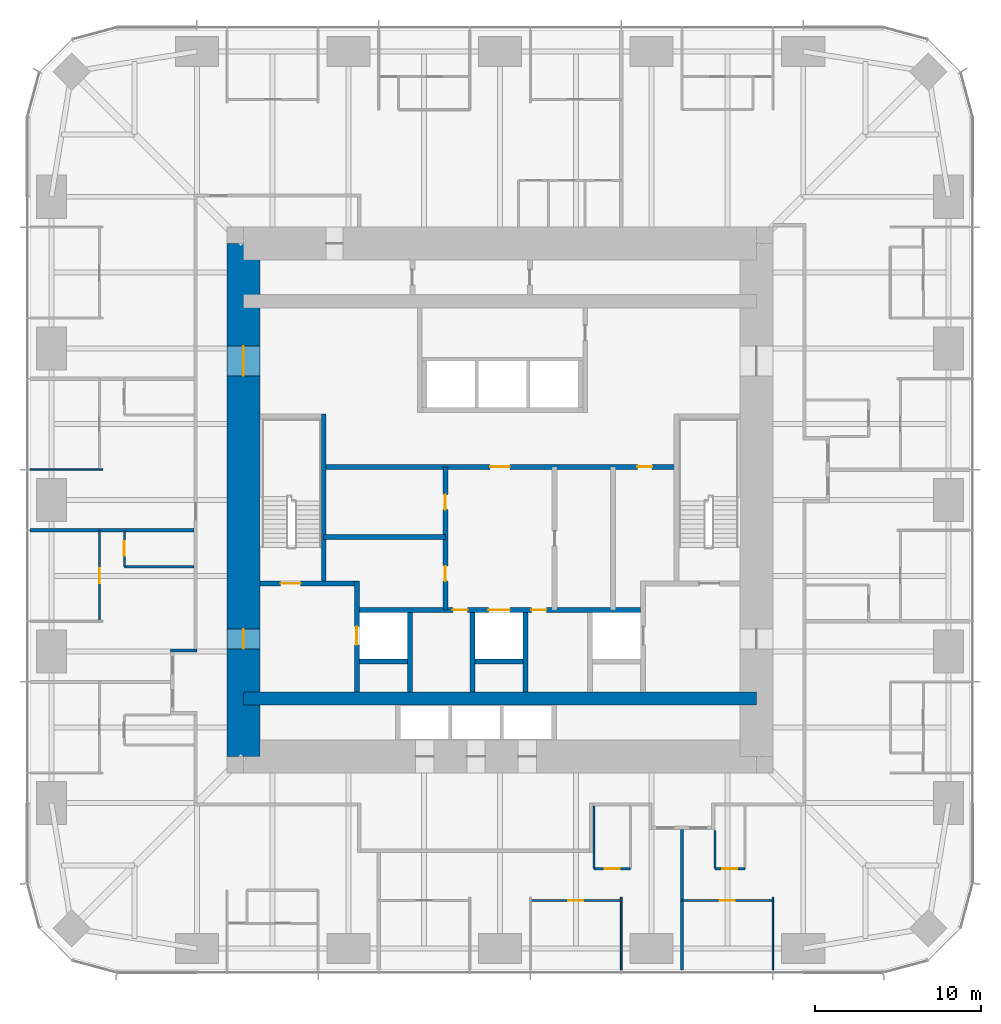
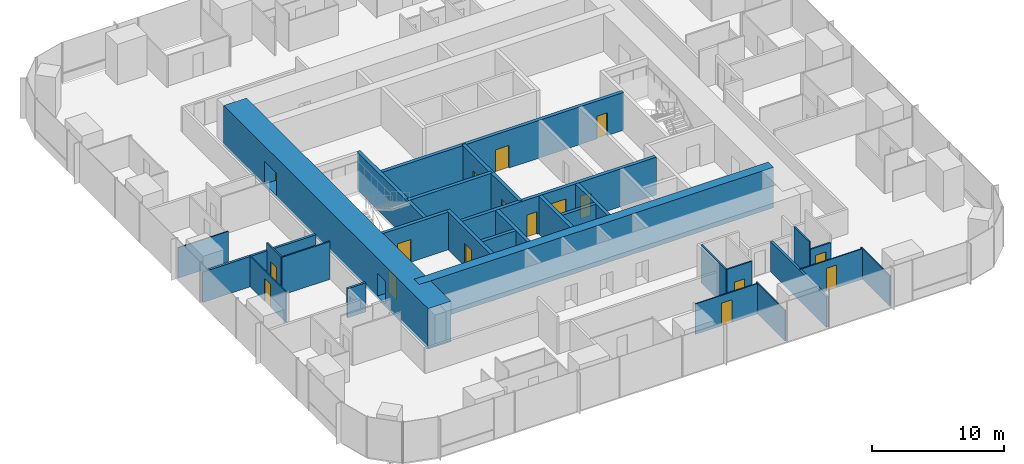
# One storey, part 9 of 13: 29 walls, 17 doors, 17 openings.
"""IFC4 building model written with IfcOpenShell, lengths in metres."""

from ifc_helpers import new_model, si_unit, direction, frame, frame_2d, origin, place, context, subcontext, project, spatial, rectangle, extrude, material, layer, layer_set, type_object, element, fill, save


model = new_model("IFC4")

# Units and contexts
model_context = context("Model", 3, precision=1e-05, world=origin(), true_north=direction((0.0, 1.0)))
body_context = subcontext(model_context, "Body", "Model", "MODEL_VIEW")
ifc_project = project(units=[si_unit("LENGTHUNIT", "METRE"), si_unit("AREAUNIT", "SQUARE_METRE"), si_unit("VOLUMEUNIT", "CUBIC_METRE"), si_unit("PLANEANGLEUNIT", "RADIAN"), si_unit("MASSUNIT", "GRAM", prefix="KILO")], contexts=[model_context])

# Site, building, storey
site_placement = place(None, origin())
site = spatial("IfcSite", under=ifc_project, at=site_placement, CompositionType="ELEMENT")
building_placement = place(site_placement, origin())
building = spatial("IfcBuilding", under=site, at=building_placement, Name="Khuree Lantern Residences", CompositionType="ELEMENT")
storey_placement = place(building_placement, frame((0.0, 0.0, 156.0)))
storey = spatial("IfcBuildingStorey", under=building, at=storey_placement, Name="L39", CompositionType="ELEMENT", Elevation=156.0)

# Wall, opening, door
ifc_material_1 = material(Name="Moisture-resistant gypsum board on steel studs", Category="steel")
ifc_layer_1 = layer(ifc_material_1, 0.125)
ifc_layer_set_1 = layer_set([ifc_layer_1], Name="BATHROOM WALL BTW125")
wall_type_1 = type_object("IfcWallType", Name="BATHROOM WALL BTW125", PredefinedType="PARTITIONING", material=ifc_layer_set_1)
wall_1_placement = place(storey_placement, frame((-22.699951171875, -1.83203125, 0.0), z_axis=(0.0, 0.0, 1.0), x_axis=(0.0, -1.0, 0.0)))
wall_1 = element("IfcWall", 1, at=wall_1_placement, inside=storey, type_object=wall_type_1, Name="L39 BATHROOM WALL 05", PredefinedType="PARTITIONING", context=body_context, shape_type="SweptSolid", body=[
    extrude(rectangle(XDim=2.199951171875, YDim=0.125, at=frame_2d((1.10009765625, 0.0))), origin(), (0.0, 0.0, 1.0), 3.5),
])
opening_1_placement = place(wall_1_placement, frame((0.64990234375, 0.0, 0.0)))
opening_1 = element("IfcOpeningElement", 2, at=opening_1_placement, cuts=wall_1, Name="Opening 39-047", PredefinedType="OPENING", context=body_context, shape_type="SweptSolid", body=[
    extrude(rectangle(XDim=0.89990234375, YDim=2.10009765625, at=frame_2d((0.449951171875, 1.050048828125))), frame((0.0, 0.072509765625, 0.0), z_axis=(0.0, -1.0, 0.0), x_axis=(1.0, 0.0, 0.0)), (0.0, 0.0, 1.0), 0.14501953125),
])
ifc_material_2 = material(Name="Timber door leaf in hardwood frame", Category="wood")
door_type_1 = type_object("IfcDoorType", Name="BATHROOM DOOR 900X2100", OperationType="SINGLE_SWING_LEFT", PredefinedType="DOOR", material=ifc_material_2)
door_1_placement = place(opening_1_placement, origin())
door_1 = element("IfcDoor", 3, at=door_1_placement, inside=storey, type_object=door_type_1, Name="Bathroom door 39-047", OperationType="SINGLE_SWING_LEFT", OverallHeight=2.10009765625, OverallWidth=0.89990234375, PredefinedType="DOOR", context=body_context, shape_type="SweptSolid", body=[
    extrude(rectangle(XDim=0.89990234375, YDim=2.10009765625, at=frame_2d((0.449951171875, 1.050048828125))), frame((0.0, 0.02490234375, 0.0), z_axis=(0.0, -1.0, 0.0), x_axis=(1.0, 0.0, 0.0)), (0.0, 0.0, 1.0), 0.050048828125),
])
fill(opening_1, door_1)

# Wall
wall_2_placement = place(storey_placement, frame((-18.5, -4.031982421875, 0.0), z_axis=(0.0, 0.0, 1.0), x_axis=(-1.0, 0.0, 0.0)))
element("IfcWall", 4, at=wall_2_placement, inside=storey, type_object=wall_type_1, Name="L39 BATHROOM WALL 05", PredefinedType="PARTITIONING", context=body_context, shape_type="SweptSolid", body=[
    extrude(rectangle(XDim=4.199951171875, YDim=0.125, at=frame_2d((2.10009765625, 0.0))), origin(), (0.0, 0.0, 1.0), 3.5),
])

# Wall, opening, door
wall_3_placement = place(storey_placement, frame((5.68359375, -22.27978515625, 0.0), z_axis=(0.0, 0.0, 1.0), x_axis=(1.0, 0.0, 0.0)))
wall_3 = element("IfcWall", 5, at=wall_3_placement, inside=storey, type_object=wall_type_1, Name="L39 BATHROOM WALL 07", PredefinedType="PARTITIONING", context=body_context, shape_type="SweptSolid", body=[
    extrude(rectangle(XDim=2.199951171875, YDim=0.125, at=frame_2d((1.10009765625, 0.0))), origin(), (0.0, 0.0, 1.0), 3.5),
])
opening_2_placement = place(wall_3_placement, frame((0.64990234375, 0.0, 0.0)))
opening_2 = element("IfcOpeningElement", 6, at=opening_2_placement, cuts=wall_3, Name="Opening 39-056", PredefinedType="OPENING", context=body_context, shape_type="SweptSolid", body=[
    extrude(rectangle(XDim=0.89990234375, YDim=2.10009765625, at=frame_2d((0.449951171875, 1.050048828125))), frame((0.0, 0.072509765625, 0.0), z_axis=(0.0, -1.0, 0.0), x_axis=(1.0, 0.0, 0.0)), (0.0, 0.0, 1.0), 0.14501953125),
])
door_2_placement = place(opening_2_placement, origin())
door_2 = element("IfcDoor", 7, at=door_2_placement, inside=storey, type_object=door_type_1, Name="Bathroom door 39-056", OperationType="SINGLE_SWING_LEFT", OverallHeight=2.10009765625, OverallWidth=0.89990234375, PredefinedType="DOOR", context=body_context, shape_type="SweptSolid", body=[
    extrude(rectangle(XDim=0.89990234375, YDim=2.10009765625, at=frame_2d((0.449951171875, 1.050048828125))), frame((0.0, 0.02490234375, 0.0), z_axis=(0.0, -1.0, 0.0), x_axis=(1.0, 0.0, 0.0)), (0.0, 0.0, 1.0), 0.050048828125),
])
fill(opening_2, door_2)

# Wall
wall_4_placement = place(storey_placement, frame((5.68359375, -18.5, 0.0), z_axis=(0.0, 0.0, 1.0), x_axis=(0.0, -1.0, 0.0)))
element("IfcWall", 8, at=wall_4_placement, inside=storey, type_object=wall_type_1, Name="L39 BATHROOM WALL 07", PredefinedType="PARTITIONING", context=body_context, shape_type="SweptSolid", body=[
    extrude(rectangle(XDim=3.77978515625, YDim=0.125, at=frame_2d((1.889892578125, 0.0))), origin(), (0.0, 0.0, 1.0), 3.5),
])

# Wall, opening, door
wall_5_placement = place(storey_placement, frame((12.991943359375, -22.27978515625, 0.0), z_axis=(0.0, 0.0, 1.0), x_axis=(1.0, 0.0, 0.0)))
wall_5 = element("IfcWall", 9, at=wall_5_placement, inside=storey, type_object=wall_type_1, Name="L39 BATHROOM WALL 08", PredefinedType="PARTITIONING", context=body_context, shape_type="SweptSolid", body=[
    extrude(rectangle(XDim=1.800048828125, YDim=0.125, at=frame_2d((0.89990234375, 0.0))), origin(), (0.0, 0.0, 1.0), 2.81005859375),
])
opening_3_placement = place(wall_5_placement, frame((0.449951171875, 0.0, 0.0)))
opening_3 = element("IfcOpeningElement", 10, at=opening_3_placement, cuts=wall_5, Name="Opening 39-061", PredefinedType="OPENING", context=body_context, shape_type="SweptSolid", body=[
    extrude(rectangle(XDim=0.89990234375, YDim=2.10009765625, at=frame_2d((0.449951171875, 1.050048828125))), frame((0.0, 0.072509765625, 0.0), z_axis=(0.0, -1.0, 0.0), x_axis=(1.0, 0.0, 0.0)), (0.0, 0.0, 1.0), 0.14501953125),
])
door_3_placement = place(opening_3_placement, origin())
door_3 = element("IfcDoor", 11, at=door_3_placement, inside=storey, type_object=door_type_1, Name="Bathroom door 39-061", OperationType="SINGLE_SWING_LEFT", OverallHeight=2.10009765625, OverallWidth=0.89990234375, PredefinedType="DOOR", context=body_context, shape_type="SweptSolid", body=[
    extrude(rectangle(XDim=0.89990234375, YDim=2.10009765625, at=frame_2d((0.449951171875, 1.050048828125))), frame((0.0, 0.02490234375, 0.0), z_axis=(0.0, -1.0, 0.0), x_axis=(1.0, 0.0, 0.0)), (0.0, 0.0, 1.0), 0.050048828125),
])
fill(opening_3, door_3)

# Wall
wall_6_placement = place(storey_placement, frame((12.991943359375, -19.969970703125, 0.0), z_axis=(0.0, 0.0, 1.0), x_axis=(0.0, -1.0, 0.0)))
element("IfcWall", 12, at=wall_6_placement, inside=storey, type_object=wall_type_1, Name="L39 BATHROOM WALL 08", PredefinedType="PARTITIONING", context=body_context, shape_type="SweptSolid", body=[
    extrude(rectangle(XDim=2.309814453125, YDim=0.125, at=frame_2d((1.15478515625, 0.0))), origin(), (0.0, 0.0, 1.0), 3.5),
])

# Wall, opening, door
ifc_material_3 = material(Name="Dense concrete blockwork", Category="masonry")
ifc_layer_2 = layer(ifc_material_3, 0.300048828125)
ifc_layer_set_2 = layer_set([ifc_layer_2], Name="CORE PARTITION WALL CPW300 EI 120")
wall_type_2 = type_object("IfcWallType", Name="CORE PARTITION WALL CPW300 EI 120", PredefinedType="PARTITIONING", material=ifc_layer_set_2)
wall_7_placement = place(storey_placement, frame((-8.64990234375, -11.60009765625, 0.0), z_axis=(0.0, 0.0, 1.0), x_axis=(0.0, 1.0, 0.0)))
wall_7 = element("IfcWall", 13, at=wall_7_placement, inside=storey, type_object=wall_type_2, Name="L39 CORE WALL FL1W", PredefinedType="PARTITIONING", context=body_context, shape_type="SweptSolid", body=[
    extrude(rectangle(XDim=6.7001953125, YDim=0.300048828125, at=frame_2d((3.35009765625, 0.0))), origin(), (0.0, 0.0, 1.0), 3.5),
])
opening_4_placement = place(wall_7_placement, frame((2.85009765625, 0.0, 0.0)))
opening_4 = element("IfcOpeningElement", 14, at=opening_4_placement, cuts=wall_7, Name="Opening 39-007", PredefinedType="OPENING", context=body_context, shape_type="SweptSolid", body=[
    extrude(rectangle(XDim=1.10009765625, YDim=2.10009765625, at=frame_2d((0.550048828125, 1.050048828125))), frame((0.0, 0.16015625, 0.0), z_axis=(0.0, -1.0, 0.0), x_axis=(1.0, 0.0, 0.0)), (0.0, 0.0, 1.0), 0.320068359375),
])
ifc_material_4 = material(Name="Stainless steel lift landing door", Category="steel")
door_type_2 = type_object("IfcDoorType", Name="LIFT LANDING DOOR 1100X2100 E 120", OperationType="DOUBLE_DOOR_SLIDING", PredefinedType="DOOR", material=ifc_material_4)
door_4_placement = place(opening_4_placement, origin())
door_4 = element("IfcDoor", 15, at=door_4_placement, inside=storey, type_object=door_type_2, Name="Landing door FL1 39-007", OperationType="DOUBLE_DOOR_SLIDING", OverallHeight=2.10009765625, OverallWidth=1.10009765625, PredefinedType="DOOR", context=body_context, shape_type="SweptSolid", body=[
    extrude(rectangle(XDim=1.10009765625, YDim=2.10009765625, at=frame_2d((0.550048828125, 1.050048828125))), frame((0.0, 0.02490234375, 0.0), z_axis=(0.0, -1.0, 0.0), x_axis=(1.0, 0.0, 0.0)), (0.0, 0.0, 1.0), 0.050048828125),
])
fill(opening_4, door_4)

# Wall, openings, doors
wall_8_placement = place(storey_placement, frame((-8.5, -6.64990234375, 0.0), z_axis=(0.0, 0.0, 1.0), x_axis=(1.0, 0.0, 0.0)))
wall_8 = element("IfcWall", 16, at=wall_8_placement, inside=storey, type_object=wall_type_2, Name="L39 CORE WALL FLROW", PredefinedType="PARTITIONING", context=body_context, shape_type="SweptSolid", body=[
    extrude(rectangle(XDim=17.0, YDim=0.300048828125, at=frame_2d((8.5, 0.0))), origin(), (0.0, 0.0, 1.0), 3.5),
])
opening_5_placement = place(wall_8_placement, frame((7.800048828125, 0.0, 0.0)))
opening_5 = element("IfcOpeningElement", 17, at=opening_5_placement, cuts=wall_8, Name="Opening 39-012", PredefinedType="OPENING", context=body_context, shape_type="SweptSolid", body=[
    extrude(rectangle(XDim=1.300048828125, YDim=2.39990234375, at=frame_2d((0.64990234375, 1.199951171875))), frame((0.0, 0.16015625, 0.0), z_axis=(0.0, -1.0, 0.0), x_axis=(1.0, 0.0, 0.0)), (0.0, 0.0, 1.0), 0.320068359375),
])
opening_6_placement = place(wall_8_placement, frame((5.64990234375, 0.0, 0.0)))
opening_6 = element("IfcOpeningElement", 18, at=opening_6_placement, cuts=wall_8, Name="Opening 39-014", PredefinedType="OPENING", context=body_context, shape_type="SweptSolid", body=[
    extrude(rectangle(XDim=0.89990234375, YDim=2.10009765625, at=frame_2d((0.449951171875, 1.050048828125))), frame((0.0, 0.16015625, 0.0), z_axis=(0.0, -1.0, 0.0), x_axis=(1.0, 0.0, 0.0)), (0.0, 0.0, 1.0), 0.320068359375),
])
opening_7_placement = place(wall_8_placement, frame((10.39990234375, 0.0, 0.0)))
opening_7 = element("IfcOpeningElement", 19, at=opening_7_placement, cuts=wall_8, Name="Opening 39-015", PredefinedType="OPENING", context=body_context, shape_type="SweptSolid", body=[
    extrude(rectangle(XDim=0.89990234375, YDim=2.10009765625, at=frame_2d((0.449951171875, 1.050048828125))), frame((0.0, 0.16015625, 0.0), z_axis=(0.0, -1.0, 0.0), x_axis=(1.0, 0.0, 0.0)), (0.0, 0.0, 1.0), 0.320068359375),
])
ifc_material_5 = material(Name="Steel door leaf in steel frame", Category="steel")
door_type_3 = type_object("IfcDoorType", Name="DOOR 900X2100 EI 60", OperationType="SINGLE_SWING_LEFT", PredefinedType="DOOR", material=ifc_material_5)
door_5_placement = place(opening_6_placement, origin())
door_5 = element("IfcDoor", 20, at=door_5_placement, inside=storey, type_object=door_type_3, Name="Refuse chute room door 39-014", OperationType="SINGLE_SWING_LEFT", OverallHeight=2.10009765625, OverallWidth=0.89990234375, PredefinedType="DOOR", context=body_context, shape_type="SweptSolid", body=[
    extrude(rectangle(XDim=0.89990234375, YDim=2.10009765625, at=frame_2d((0.449951171875, 1.050048828125))), frame((0.0, 0.02490234375, 0.0), z_axis=(0.0, -1.0, 0.0), x_axis=(1.0, 0.0, 0.0)), (0.0, 0.0, 1.0), 0.050048828125),
])
fill(opening_6, door_5)
door_type_4 = type_object("IfcDoorType", Name="DOOR 900X2100 EI 60 RIGHT HAND", OperationType="SINGLE_SWING_RIGHT", PredefinedType="DOOR", material=ifc_material_5)
door_6_placement = place(opening_7_placement, origin())
door_6 = element("IfcDoor", 21, at=door_6_placement, inside=storey, type_object=door_type_4, Name="Electrical and plumbing riser door 39-015", OperationType="SINGLE_SWING_RIGHT", OverallHeight=2.10009765625, OverallWidth=0.89990234375, PredefinedType="DOOR", context=body_context, shape_type="SweptSolid", body=[
    extrude(rectangle(XDim=0.89990234375, YDim=2.10009765625, at=frame_2d((0.449951171875, 1.050048828125))), frame((0.0, 0.02490234375, 0.0), z_axis=(0.0, -1.0, 0.0), x_axis=(1.0, 0.0, 0.0)), (0.0, 0.0, 1.0), 0.050048828125),
])
fill(opening_7, door_6)
door_type_5 = type_object("IfcDoorType", Name="LIFT LANDING DOOR 1300X2400 E 60", OperationType="DOUBLE_DOOR_SLIDING", PredefinedType="DOOR", material=ifc_material_4)
door_7_placement = place(opening_5_placement, origin())
door_7 = element("IfcDoor", 22, at=door_7_placement, inside=storey, type_object=door_type_5, Name="Landing door SL1 39-012", OperationType="DOUBLE_DOOR_SLIDING", OverallHeight=2.39990234375, OverallWidth=1.300048828125, PredefinedType="DOOR", context=body_context, shape_type="SweptSolid", body=[
    extrude(rectangle(XDim=1.300048828125, YDim=2.39990234375, at=frame_2d((0.64990234375, 1.199951171875))), frame((0.0, 0.02490234375, 0.0), z_axis=(0.0, -1.0, 0.0), x_axis=(1.0, 0.0, 0.0)), (0.0, 0.0, 1.0), 0.050048828125),
])
fill(opening_5, door_7)

# Walls
for number, where, z_axis, x_axis, name in (
    (23, (-5.449951171875, -11.60009765625, 0.0), (0.0, 0.0, 1.0), (0.0, 1.0, 0.0), "L39 CORE WALL FL1E"),
    (24, (-1.64990234375, -11.60009765625, 0.0), (0.0, 0.0, 1.0), (0.0, 1.0, 0.0), "L39 CORE WALL SL1W"),
    (25, (1.550048828125, -11.60009765625, 0.0), (0.0, 0.0, 1.0), (0.0, 1.0, 0.0), "L39 CORE WALL SL1E"),
):
    element("IfcWall", number, at=place(storey_placement, frame(where, z_axis=z_axis, x_axis=x_axis)), inside=storey, type_object=wall_type_2, Name=name, PredefinedType="PARTITIONING", context=body_context, shape_type="SweptSolid", body=[
        extrude(rectangle(XDim=4.800048828125, YDim=0.300048828125, at=frame_2d((2.39990234375, 0.0))), origin(), (0.0, 0.0, 1.0), 3.5),
    ])
for number, where, z_axis, x_axis, name in (
    (26, (-8.5, -9.75, 0.0), (0.0, 0.0, 1.0), (1.0, 0.0, 0.0), "L39 CORE WALL FL1S"),
    (27, (-1.5, -9.75, 0.0), (0.0, 0.0, 1.0), (1.0, 0.0, 0.0), "L39 CORE WALL SL1S"),
):
    element("IfcWall", number, at=place(storey_placement, frame(where, z_axis=z_axis, x_axis=x_axis)), inside=storey, type_object=wall_type_2, Name=name, PredefinedType="PARTITIONING", context=body_context, shape_type="SweptSolid", body=[
        extrude(rectangle(XDim=2.89990234375, YDim=0.300048828125, at=frame_2d((1.449951171875, 0.0))), origin(), (0.0, 0.0, 1.0), 3.5),
    ])

# Wall, openings, doors
wall_9_placement = place(storey_placement, frame((-10.64990234375, 2.0, 0.0), z_axis=(0.0, 0.0, 1.0), x_axis=(1.0, 0.0, 0.0)))
wall_9 = element("IfcWall", 28, at=wall_9_placement, inside=storey, type_object=wall_type_2, Name="L39 CORE WALL LLS", PredefinedType="PARTITIONING", context=body_context, shape_type="SweptSolid", body=[
    extrude(rectangle(XDim=21.2998046875, YDim=0.300048828125, at=frame_2d((10.64990234375, 0.0))), origin(), (0.0, 0.0, 1.0), 3.5),
])
opening_8_placement = place(wall_9_placement, frame((10.050048828125, 0.0, 0.0)))
opening_8 = element("IfcOpeningElement", 29, at=opening_8_placement, cuts=wall_9, Name="Opening 39-013", PredefinedType="OPENING", context=body_context, shape_type="SweptSolid", body=[
    extrude(rectangle(XDim=1.199951171875, YDim=2.10009765625, at=frame_2d((0.60009765625, 1.050048828125))), frame((0.0, 0.16015625, 0.0), z_axis=(0.0, -1.0, 0.0), x_axis=(1.0, 0.0, 0.0)), (0.0, 0.0, 1.0), 0.320068359375),
])
opening_9_placement = place(wall_9_placement, frame((18.94189453125, 0.0, 0.0)))
opening_9 = element("IfcOpeningElement", 30, at=opening_9_placement, cuts=wall_9, Name="Opening 39-019", PredefinedType="OPENING", context=body_context, shape_type="SweptSolid", body=[
    extrude(rectangle(XDim=0.89990234375, YDim=2.10009765625, at=frame_2d((0.449951171875, 1.050048828125))), frame((0.0, 0.16015625, 0.0), z_axis=(0.0, -1.0, 0.0), x_axis=(1.0, 0.0, 0.0)), (0.0, 0.0, 1.0), 0.320068359375),
])
door_type_6 = type_object("IfcDoorType", Name="DOOR 1200X2100 EI 60", OperationType="SINGLE_SWING_LEFT", PredefinedType="DOOR", material=ifc_material_5)
door_8_placement = place(opening_8_placement, origin())
door_8 = element("IfcDoor", 31, at=door_8_placement, inside=storey, type_object=door_type_6, Name="Service lift lobby door 39-013", OperationType="SINGLE_SWING_LEFT", OverallHeight=2.10009765625, OverallWidth=1.199951171875, PredefinedType="DOOR", context=body_context, shape_type="SweptSolid", body=[
    extrude(rectangle(XDim=1.199951171875, YDim=2.10009765625, at=frame_2d((0.60009765625, 1.050048828125))), frame((0.0, 0.02490234375, 0.0), z_axis=(0.0, -1.0, 0.0), x_axis=(1.0, 0.0, 0.0)), (0.0, 0.0, 1.0), 0.050048828125),
])
fill(opening_8, door_8)
door_type_7 = type_object("IfcDoorType", Name="DOOR 900X2100 RIGHT HAND", OperationType="SINGLE_SWING_RIGHT", PredefinedType="DOOR", material=ifc_material_2)
door_9_placement = place(opening_9_placement, origin())
door_9 = element("IfcDoor", 32, at=door_9_placement, inside=storey, type_object=door_type_7, Name="Residents' store door 39-019", OperationType="SINGLE_SWING_RIGHT", OverallHeight=2.10009765625, OverallWidth=0.89990234375, PredefinedType="DOOR", context=body_context, shape_type="SweptSolid", body=[
    extrude(rectangle(XDim=0.89990234375, YDim=2.10009765625, at=frame_2d((0.449951171875, 1.050048828125))), frame((0.0, 0.02490234375, 0.0), z_axis=(0.0, -1.0, 0.0), x_axis=(1.0, 0.0, 0.0)), (0.0, 0.0, 1.0), 0.050048828125),
])
fill(opening_9, door_9)

wall_10_placement = place(storey_placement, frame((-3.300048828125, -6.64990234375, 0.0), z_axis=(0.0, 0.0, 1.0), x_axis=(0.0, 1.0, 0.0)))
wall_10 = element("IfcWall", 33, at=wall_10_placement, inside=storey, type_object=wall_type_2, Name="L39 CORE WALL SVW", PredefinedType="PARTITIONING", context=body_context, shape_type="SweptSolid", body=[
    extrude(rectangle(XDim=8.64990234375, YDim=0.300048828125, at=frame_2d((4.324951171875, 0.0))), origin(), (0.0, 0.0, 1.0), 3.5),
])
opening_10_placement = place(wall_10_placement, frame((1.75, 0.0, 0.0)))
opening_10 = element("IfcOpeningElement", 34, at=opening_10_placement, cuts=wall_10, Name="Opening 39-016", PredefinedType="OPENING", context=body_context, shape_type="SweptSolid", body=[
    extrude(rectangle(XDim=0.89990234375, YDim=2.10009765625, at=frame_2d((0.449951171875, 1.050048828125))), frame((0.0, 0.16015625, 0.0), z_axis=(0.0, -1.0, 0.0), x_axis=(1.0, 0.0, 0.0)), (0.0, 0.0, 1.0), 0.320068359375),
])
opening_11_placement = place(wall_10_placement, frame((6.074951171875, 0.0, 0.0)))
opening_11 = element("IfcOpeningElement", 35, at=opening_11_placement, cuts=wall_10, Name="Opening 39-017", PredefinedType="OPENING", context=body_context, shape_type="SweptSolid", body=[
    extrude(rectangle(XDim=0.89990234375, YDim=2.10009765625, at=frame_2d((0.449951171875, 1.050048828125))), frame((0.0, 0.16015625, 0.0), z_axis=(0.0, -1.0, 0.0), x_axis=(1.0, 0.0, 0.0)), (0.0, 0.0, 1.0), 0.320068359375),
])
door_type_8 = type_object("IfcDoorType", Name="DOOR 900X2100", OperationType="SINGLE_SWING_LEFT", PredefinedType="DOOR", material=ifc_material_2)
door_10_placement = place(opening_10_placement, origin())
door_10 = element("IfcDoor", 36, at=door_10_placement, inside=storey, type_object=door_type_8, Name="Residents' store door 39-016", OperationType="SINGLE_SWING_LEFT", OverallHeight=2.10009765625, OverallWidth=0.89990234375, PredefinedType="DOOR", context=body_context, shape_type="SweptSolid", body=[
    extrude(rectangle(XDim=0.89990234375, YDim=2.10009765625, at=frame_2d((0.449951171875, 1.050048828125))), frame((0.0, 0.02490234375, 0.0), z_axis=(0.0, -1.0, 0.0), x_axis=(1.0, 0.0, 0.0)), (0.0, 0.0, 1.0), 0.050048828125),
])
fill(opening_10, door_10)
door_11_placement = place(opening_11_placement, origin())
door_11 = element("IfcDoor", 37, at=door_11_placement, inside=storey, type_object=door_type_8, Name="Residents' store door 39-017", OperationType="SINGLE_SWING_LEFT", OverallHeight=2.10009765625, OverallWidth=0.89990234375, PredefinedType="DOOR", context=body_context, shape_type="SweptSolid", body=[
    extrude(rectangle(XDim=0.89990234375, YDim=2.10009765625, at=frame_2d((0.449951171875, 1.050048828125))), frame((0.0, 0.02490234375, 0.0), z_axis=(0.0, -1.0, 0.0), x_axis=(1.0, 0.0, 0.0)), (0.0, 0.0, 1.0), 0.050048828125),
])
fill(opening_11, door_11)

# Walls
wall_11_placement = place(storey_placement, frame((-10.64990234375, -2.25, 0.0), z_axis=(0.0, 0.0, 1.0), x_axis=(1.0, 0.0, 0.0)))
element("IfcWall", 38, at=wall_11_placement, inside=storey, type_object=wall_type_2, Name="L39 CORE WALL WX", PredefinedType="PARTITIONING", context=body_context, shape_type="SweptSolid", body=[
    extrude(rectangle(XDim=7.349853515625, YDim=0.300048828125, at=frame_2d((3.6748046875, 0.0))), origin(), (0.0, 0.0, 1.0), 3.5),
])
ifc_material_6 = material(Name="Gypsum board on steel studs", Category="steel")
ifc_layer_3 = layer(ifc_material_6, 0.199951171875)
ifc_layer_set_3 = layer_set([ifc_layer_3], Name="CORRIDOR WALL CRW200 EI 60")
wall_type_3 = type_object("IfcWallType", Name="CORRIDOR WALL CRW200 EI 60", PredefinedType="PARTITIONING", material=ifc_layer_set_3)
wall_12_placement = place(storey_placement, frame((-18.300048828125, -9.092041015625, 0.0), z_axis=(0.0, 0.0, 1.0), x_axis=(-1.0, 0.0, 0.0)))
element("IfcWall", 39, at=wall_12_placement, inside=storey, type_object=wall_type_3, Name="L39 CORRIDOR ALCOVE WALL WEST", PredefinedType="PARTITIONING", context=body_context, shape_type="SweptSolid", body=[
    extrude(rectangle(XDim=1.599853515625, YDim=0.199951171875, at=frame_2d((0.7998046875, 0.0))), origin(), (0.0, 0.0, 1.0), 2.699951171875),
])

# Wall, openings, doors
ifc_material_7 = material(Name="Concrete C70/85", Category="concrete")
ifc_layer_4 = layer(ifc_material_7, 2.0)
ifc_layer_set_4 = layer_set([ifc_layer_4], Name="CW2000-C70 CORE WALL C70 2000")
wall_type_4 = type_object("IfcWallType", Name="CW2000-C70 CORE WALL C70 2000", PredefinedType="SHEAR", material=ifc_layer_set_4)
wall_13_placement = place(storey_placement, frame((-15.5, -15.5, -0.25), z_axis=(0.0, 0.0, 1.0), x_axis=(0.0, 1.0, 0.0)))
wall_13 = element("IfcWall", 40, at=wall_13_placement, inside=storey, type_object=wall_type_4, Name="Core wall W", PredefinedType="SHEAR", context=body_context, shape_type="SweptSolid", body=[
    extrude(rectangle(XDim=31.0, YDim=2.0, at=frame_2d((15.5, 0.0))), origin(), (0.0, 0.0, 1.0), 3.75),
])
opening_12_placement = place(wall_13_placement, frame((6.5, 0.0, 0.25)))
opening_12 = element("IfcOpeningElement", 41, at=opening_12_placement, cuts=wall_13, Name="Opening 39-002", PredefinedType="OPENING", context=body_context, shape_type="SweptSolid", body=[
    extrude(rectangle(XDim=1.199951171875, YDim=2.10009765625, at=frame_2d((0.60009765625, 1.050048828125))), frame((0.0, 1.010009765625, 0.0), z_axis=(0.0, -1.0, 0.0), x_axis=(1.0, 0.0, 0.0)), (0.0, 0.0, 1.0), 2.02001953125),
])
opening_13_placement = place(wall_13_placement, frame((23.0, 0.0, 0.25)))
opening_13 = element("IfcOpeningElement", 42, at=opening_13_placement, cuts=wall_13, Name="Opening 39-003", PredefinedType="OPENING", context=body_context, shape_type="SweptSolid", body=[
    extrude(rectangle(XDim=1.800048828125, YDim=2.10009765625, at=frame_2d((0.89990234375, 1.050048828125))), frame((0.0, 1.010009765625, 0.0), z_axis=(0.0, -1.0, 0.0), x_axis=(1.0, 0.0, 0.0)), (0.0, 0.0, 1.0), 2.02001953125),
])
door_type_9 = type_object("IfcDoorType", Name="LOBBY DOOR 1200X2100 EI 120", OperationType="SINGLE_SWING_LEFT", PredefinedType="DOOR", material=ifc_material_5)
door_12_placement = place(opening_12_placement, origin())
door_12 = element("IfcDoor", 43, at=door_12_placement, inside=storey, type_object=door_type_9, Name="Firefighting lobby door 39-002", OperationType="SINGLE_SWING_LEFT", OverallHeight=2.10009765625, OverallWidth=1.199951171875, PredefinedType="DOOR", context=body_context, shape_type="SweptSolid", body=[
    extrude(rectangle(XDim=1.199951171875, YDim=2.10009765625, at=frame_2d((0.60009765625, 1.050048828125))), frame((0.0, 0.02490234375, 0.0), z_axis=(0.0, -1.0, 0.0), x_axis=(1.0, 0.0, 0.0)), (0.0, 0.0, 1.0), 0.050048828125),
])
fill(opening_12, door_12)
door_type_10 = type_object("IfcDoorType", Name="LOBBY DOUBLE DOOR 1800X2100 EI 60", OperationType="DOUBLE_DOOR_SINGLE_SWING", PredefinedType="DOOR", material=ifc_material_5)
door_13_placement = place(opening_13_placement, origin())
door_13 = element("IfcDoor", 44, at=door_13_placement, inside=storey, type_object=door_type_10, Name="Lift lobby door 39-003", OperationType="DOUBLE_DOOR_SINGLE_SWING", OverallHeight=2.10009765625, OverallWidth=1.800048828125, PredefinedType="DOOR", context=body_context, shape_type="SweptSolid", body=[
    extrude(rectangle(XDim=1.800048828125, YDim=2.10009765625, at=frame_2d((0.89990234375, 1.050048828125))), frame((0.0, 0.02490234375, 0.0), z_axis=(0.0, -1.0, 0.0), x_axis=(1.0, 0.0, 0.0)), (0.0, 0.0, 1.0), 0.050048828125),
])
fill(opening_13, door_13)

# Walls
ifc_layer_5 = layer(ifc_material_6, 0.199951171875)
ifc_layer_set_5 = layer_set([ifc_layer_5], Name="DEMISING WALL DMW200 EI 90")
wall_type_5 = type_object("IfcWallType", Name="DEMISING WALL DMW200 EI 90", PredefinedType="PARTITIONING", material=ifc_layer_set_5)
wall_14_placement = place(storey_placement, frame((-18.5, -1.83203125, 0.0), z_axis=(0.0, 0.0, 1.0), x_axis=(-1.0, 0.0, 0.0)))
element("IfcWall", 45, at=wall_14_placement, inside=storey, type_object=wall_type_5, Name="L39 DEMISING WALL 05", PredefinedType="PARTITIONING", context=body_context, shape_type="SweptSolid", body=[
    extrude(rectangle(XDim=9.89990234375, YDim=0.199951171875, at=frame_2d((4.949951171875, 0.0))), origin(), (0.0, 0.0, 1.0), 2.81005859375),
])
wall_15_placement = place(storey_placement, frame((10.991943359375, -19.89990234375, 0.0), z_axis=(0.0, 0.0, 1.0), x_axis=(0.0, -1.0, 0.0)))
element("IfcWall", 46, at=wall_15_placement, inside=storey, type_object=wall_type_5, Name="L39 DEMISING WALL 08", PredefinedType="PARTITIONING", context=body_context, shape_type="SweptSolid", body=[
    extrude(rectangle(XDim=8.5, YDim=0.199951171875, at=frame_2d((4.25, 0.0))), origin(), (0.0, 0.0, 1.0), 2.81005859375),
])
ifc_layer_6 = layer(ifc_material_6, 0.10009765625)
ifc_layer_set_6 = layer_set([ifc_layer_6], Name="PARTITION PT100")
wall_type_6 = type_object("IfcWallType", Name="PARTITION PT100", PredefinedType="PARTITIONING", material=ifc_layer_set_6)
for number, where, z_axis, x_axis, name in (
    (47, (-24.0, 1.83203125, 0.0), (0.0, 0.0, 1.0), (-1.0, 0.0, 0.0), "L39 PARTITION 04"),
    (48, (7.327880859375, -24.0, 0.0), (0.0, 0.0, 1.0), (0.0, -1.0, 0.0), "L39 PARTITION 07"),
    (49, (16.488037109375, -24.0, 0.0), (0.0, 0.0, 1.0), (0.0, -1.0, 0.0), "L39 PARTITION 08"),
):
    element("IfcWall", number, at=place(storey_placement, frame(where, z_axis=z_axis, x_axis=x_axis)), inside=storey, type_object=wall_type_6, Name=name, PredefinedType="PARTITIONING", context=body_context, shape_type="SweptSolid", body=[
        extrude(rectangle(XDim=4.39990234375, YDim=0.10009765625, at=frame_2d((2.199951171875, 0.0))), origin(), (0.0, 0.0, 1.0), 2.81005859375),
    ])

# Wall, opening, door
wall_16_placement = place(storey_placement, frame((-24.199951171875, -1.83203125, 0.0), z_axis=(0.0, 0.0, 1.0), x_axis=(0.0, -1.0, 0.0)))
wall_16 = element("IfcWall", 50, at=wall_16_placement, inside=storey, type_object=wall_type_6, Name="L39 PARTITION 05", PredefinedType="PARTITIONING", context=body_context, shape_type="SweptSolid", body=[
    extrude(rectangle(XDim=5.495849609375, YDim=0.10009765625, at=frame_2d((2.748046875, 0.0))), origin(), (0.0, 0.0, 1.0), 2.81005859375),
])
opening_14_placement = place(wall_16_placement, frame((2.298095703125, 0.0, 0.0)))
opening_14 = element("IfcOpeningElement", 51, at=opening_14_placement, cuts=wall_16, Name="Opening 39-046", PredefinedType="OPENING", context=body_context, shape_type="SweptSolid", body=[
    extrude(rectangle(XDim=0.89990234375, YDim=2.10009765625, at=frame_2d((0.449951171875, 1.050048828125))), frame((0.0, 0.06005859375, 0.0), z_axis=(0.0, -1.0, 0.0), x_axis=(1.0, 0.0, 0.0)), (0.0, 0.0, 1.0), 0.1201171875),
])
door_type_11 = type_object("IfcDoorType", Name="BEDROOM DOOR 900X2100", OperationType="SINGLE_SWING_LEFT", PredefinedType="DOOR", material=ifc_material_2)
door_14_placement = place(opening_14_placement, origin())
door_14 = element("IfcDoor", 52, at=door_14_placement, inside=storey, type_object=door_type_11, Name="Bedroom door 39-046", OperationType="SINGLE_SWING_LEFT", OverallHeight=2.10009765625, OverallWidth=0.89990234375, PredefinedType="DOOR", context=body_context, shape_type="SweptSolid", body=[
    extrude(rectangle(XDim=0.89990234375, YDim=2.10009765625, at=frame_2d((0.449951171875, 1.050048828125))), frame((0.0, 0.02490234375, 0.0), z_axis=(0.0, -1.0, 0.0), x_axis=(1.0, 0.0, 0.0)), (0.0, 0.0, 1.0), 0.050048828125),
])
fill(opening_14, door_14)

wall_17_placement = place(storey_placement, frame((1.83203125, -24.199951171875, 0.0), z_axis=(0.0, 0.0, 1.0), x_axis=(1.0, 0.0, 0.0)))
wall_17 = element("IfcWall", 53, at=wall_17_placement, inside=storey, type_object=wall_type_6, Name="L39 PARTITION 07", PredefinedType="PARTITIONING", context=body_context, shape_type="SweptSolid", body=[
    extrude(rectangle(XDim=5.495849609375, YDim=0.10009765625, at=frame_2d((2.748046875, 0.0))), origin(), (0.0, 0.0, 1.0), 2.81005859375),
])
opening_15_placement = place(wall_17_placement, frame((2.298095703125, 0.0, 0.0)))
opening_15 = element("IfcOpeningElement", 54, at=opening_15_placement, cuts=wall_17, Name="Opening 39-055", PredefinedType="OPENING", context=body_context, shape_type="SweptSolid", body=[
    extrude(rectangle(XDim=0.89990234375, YDim=2.10009765625, at=frame_2d((0.449951171875, 1.050048828125))), frame((0.0, 0.06005859375, 0.0), z_axis=(0.0, -1.0, 0.0), x_axis=(1.0, 0.0, 0.0)), (0.0, 0.0, 1.0), 0.1201171875),
])
door_15_placement = place(opening_15_placement, origin())
door_15 = element("IfcDoor", 55, at=door_15_placement, inside=storey, type_object=door_type_11, Name="Bedroom door 39-055", OperationType="SINGLE_SWING_LEFT", OverallHeight=2.10009765625, OverallWidth=0.89990234375, PredefinedType="DOOR", context=body_context, shape_type="SweptSolid", body=[
    extrude(rectangle(XDim=0.89990234375, YDim=2.10009765625, at=frame_2d((0.449951171875, 1.050048828125))), frame((0.0, 0.02490234375, 0.0), z_axis=(0.0, -1.0, 0.0), x_axis=(1.0, 0.0, 0.0)), (0.0, 0.0, 1.0), 0.050048828125),
])
fill(opening_15, door_15)

wall_18_placement = place(storey_placement, frame((10.991943359375, -24.199951171875, 0.0), z_axis=(0.0, 0.0, 1.0), x_axis=(1.0, 0.0, 0.0)))
wall_18 = element("IfcWall", 56, at=wall_18_placement, inside=storey, type_object=wall_type_6, Name="L39 PARTITION 08", PredefinedType="PARTITIONING", context=body_context, shape_type="SweptSolid", body=[
    extrude(rectangle(XDim=5.49609375, YDim=0.10009765625, at=frame_2d((2.748046875, 0.0))), origin(), (0.0, 0.0, 1.0), 2.81005859375),
])
opening_16_placement = place(wall_18_placement, frame((2.298095703125, 0.0, 0.0)))
opening_16 = element("IfcOpeningElement", 57, at=opening_16_placement, cuts=wall_18, Name="Opening 39-058", PredefinedType="OPENING", context=body_context, shape_type="SweptSolid", body=[
    extrude(rectangle(XDim=0.89990234375, YDim=2.10009765625, at=frame_2d((0.449951171875, 1.050048828125))), frame((0.0, 0.06005859375, 0.0), z_axis=(0.0, -1.0, 0.0), x_axis=(1.0, 0.0, 0.0)), (0.0, 0.0, 1.0), 0.1201171875),
])
door_16_placement = place(opening_16_placement, origin())
door_16 = element("IfcDoor", 58, at=door_16_placement, inside=storey, type_object=door_type_11, Name="Bedroom door 39-058", OperationType="SINGLE_SWING_LEFT", OverallHeight=2.10009765625, OverallWidth=0.89990234375, PredefinedType="DOOR", context=body_context, shape_type="SweptSolid", body=[
    extrude(rectangle(XDim=0.89990234375, YDim=2.10009765625, at=frame_2d((0.449951171875, 1.050048828125))), frame((0.0, 0.02490234375, 0.0), z_axis=(0.0, -1.0, 0.0), x_axis=(1.0, 0.0, 0.0)), (0.0, 0.0, 1.0), 0.050048828125),
])
fill(opening_16, door_16)

# Walls
ifc_layer_7 = layer(ifc_material_7, 0.800048828125)
ifc_layer_set_7 = layer_set([ifc_layer_7], Name="SP800-C70 CORE SPINE WALL C70 800")
wall_type_7 = type_object("IfcWallType", Name="SP800-C70 CORE SPINE WALL C70 800", PredefinedType="SHEAR", material=ifc_layer_set_7)
wall_19_placement = place(storey_placement, frame((-15.5, -12.0, -0.25), z_axis=(0.0, 0.0, 1.0), x_axis=(1.0, 0.0, 0.0)))
element("IfcWall", 59, at=wall_19_placement, inside=storey, type_object=wall_type_7, Name="Core wall SPS", PredefinedType="SHEAR", context=body_context, shape_type="SweptSolid", body=[
    extrude(rectangle(XDim=31.0, YDim=0.800048828125, at=frame_2d((15.5, 0.0))), origin(), (0.0, 0.0, 1.0), 3.75),
])
ifc_material_8 = material(Name="Concrete C50/60", Category="concrete")
ifc_layer_8 = layer(ifc_material_8, 0.300048828125)
ifc_layer_set_8 = layer_set([ifc_layer_8], Name="STAIR WALL SRW300 C50/60 REI 240")
wall_type_8 = type_object("IfcWallType", Name="STAIR WALL SRW300 C50/60 REI 240", PredefinedType="SOLIDWALL", material=ifc_layer_set_8)
wall_20_placement = place(storey_placement, frame((-10.64990234375, -4.89990234375, 0.0), z_axis=(0.0, 0.0, 1.0), x_axis=(0.0, 1.0, 0.0)))
element("IfcWall", 60, at=wall_20_placement, inside=storey, type_object=wall_type_8, Name="L39 STAIR WALL ST1E", PredefinedType="SOLIDWALL", context=body_context, shape_type="SweptSolid", body=[
    extrude(rectangle(XDim=10.099853515625, YDim=0.300048828125, at=frame_2d((5.0498046875, 0.0))), origin(), (0.0, 0.0, 1.0), 3.5),
])

# Wall, opening, door
wall_21_placement = place(storey_placement, frame((-14.5, -5.050048828125, 0.0), z_axis=(0.0, 0.0, 1.0), x_axis=(1.0, 0.0, 0.0)))
wall_21 = element("IfcWall", 61, at=wall_21_placement, inside=storey, type_object=wall_type_8, Name="L39 STAIR WALL ST1S", PredefinedType="SOLIDWALL", context=body_context, shape_type="SweptSolid", body=[
    extrude(rectangle(XDim=5.699951171875, YDim=0.300048828125, at=frame_2d((2.85009765625, 0.0))), origin(), (0.0, 0.0, 1.0), 3.5),
])
opening_17_placement = place(wall_21_placement, frame((1.25, 0.0, 0.0)))
opening_17 = element("IfcOpeningElement", 62, at=opening_17_placement, cuts=wall_21, Name="Opening 39-001", PredefinedType="OPENING", context=body_context, shape_type="SweptSolid", body=[
    extrude(rectangle(XDim=1.199951171875, YDim=2.10009765625, at=frame_2d((0.60009765625, 1.050048828125))), frame((0.0, 0.16015625, 0.0), z_axis=(0.0, -1.0, 0.0), x_axis=(1.0, 0.0, 0.0)), (0.0, 0.0, 1.0), 0.320068359375),
])
door_type_12 = type_object("IfcDoorType", Name="STAIR DOOR 1200X2100 EI 120", OperationType="SINGLE_SWING_LEFT", PredefinedType="DOOR", material=ifc_material_5)
door_17_placement = place(opening_17_placement, origin())
door_17 = element("IfcDoor", 63, at=door_17_placement, inside=storey, type_object=door_type_12, Name="Stair ST1 door 39-001", OperationType="SINGLE_SWING_LEFT", OverallHeight=2.10009765625, OverallWidth=1.199951171875, PredefinedType="DOOR", context=body_context, shape_type="SweptSolid", body=[
    extrude(rectangle(XDim=1.199951171875, YDim=2.10009765625, at=frame_2d((0.60009765625, 1.050048828125))), frame((0.0, 0.02490234375, 0.0), z_axis=(0.0, -1.0, 0.0), x_axis=(1.0, 0.0, 0.0)), (0.0, 0.0, 1.0), 0.050048828125),
])
fill(opening_17, door_17)

save(model, "model.ifc")
